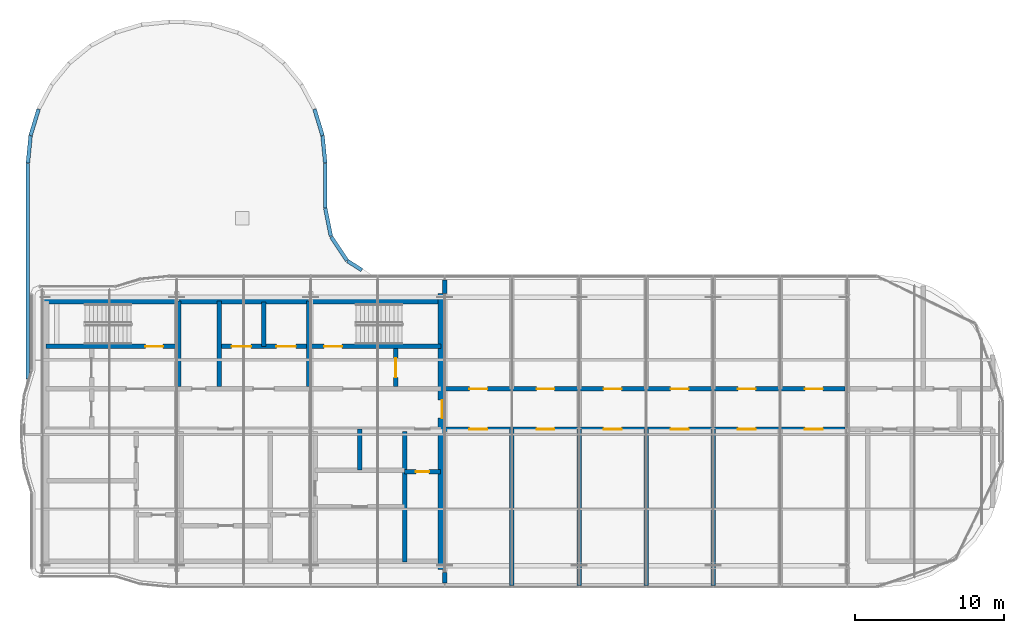
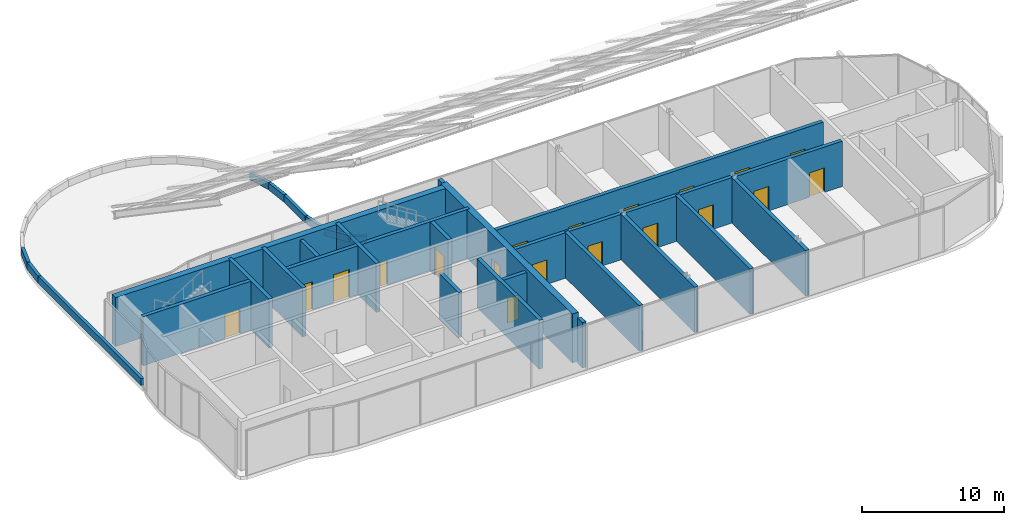
# One storey, part 21 of 25: 29 walls, 19 doors, 19 openings.
"""IFC4 building model written with IfcOpenShell, lengths in metres."""

import ifcopenshell
import ifcopenshell.guid

model = None  # the IFC model being written
_history = None  # IfcOwnerHistory: only IFC2X3 demands one
_inside = {}  # id of a spatial element -> (the spatial element, [elements in it])
_under = {}  # id of a project, library or spatial element -> (it, [spatial elements below it])
_declared = {}  # id of a project -> (the project, [libraries it declares])
_typed = {}  # id of a type object -> (the type object, [elements of that type])
_made_of = {}  # id of a material, layer set ... -> (it, [elements and type objects made of it])


def new_model(schema):
    """Start an empty IFC model of exactly this schema.

    Asked for "IFC4X3", IfcOpenShell would pick the latest addendum, in which some entities
    have other attributes; the version numbers below select the first issue.
    IFC2X3 requires an IfcOwnerHistory on every rooted entity: one is made here for all.
    """
    global model, _history
    if schema == "IFC4X3":
        model = ifcopenshell.file(schema_version=(4, 3, 0, 0))
    else:
        model = ifcopenshell.file(schema=schema)
    _inside.clear()
    _under.clear()
    _declared.clear()
    _typed.clear()
    _made_of.clear()
    _history = None
    if model.schema == "IFC2X3":
        org = make("IfcOrganization", Name="unknown")
        user = make(
            "IfcPersonAndOrganization",
            ThePerson=make("IfcPerson", FamilyName="unknown"),
            TheOrganization=org,
        )
        app = make(
            "IfcApplication",
            ApplicationDeveloper=org,
            Version="unknown",
            ApplicationFullName="unknown",
            ApplicationIdentifier="unknown",
        )
        _history = make(
            "IfcOwnerHistory",
            OwningUser=user,
            OwningApplication=app,
            ChangeAction="ADDED",
            CreationDate=0,
        )
    return model


def make(cls, **values):
    """One entity of the class cls with the attributes given. An attribute that is None is left unset."""
    return model.create_entity(
        cls, **{name: value for name, value in values.items() if value is not None}
    )


def rooted(cls, **values):
    """An entity with a GlobalId (a new one), such as an element, a storey or a relation."""
    return make(cls, GlobalId=ifcopenshell.guid.new(), OwnerHistory=_history, **values)


def si_unit(unit_type, name, prefix=None):
    """IfcSIUnit, for example si_unit("LENGTHUNIT", "METRE", prefix="MILLI")."""
    return make("IfcSIUnit", UnitType=unit_type, Prefix=prefix, Name=name)


def assignment(units):
    """IfcUnitAssignment: the units of a project."""
    return None if units is None else make("IfcUnitAssignment", Units=units)


def point(xyz):
    """IfcCartesianPoint."""
    return None if xyz is None else make("IfcCartesianPoint", Coordinates=xyz)


def direction(xyz):
    """IfcDirection."""
    return None if xyz is None else make("IfcDirection", DirectionRatios=xyz)


def frame(location, z_axis=None, x_axis=None):
    """IfcAxis2Placement3D, a coordinate frame: its origin and axes. An axis left out is left unset."""
    return make(
        "IfcAxis2Placement3D",
        Location=point(location),
        Axis=direction(z_axis),
        RefDirection=direction(x_axis),
    )


def frame_2d(location, x_axis=None):
    """IfcAxis2Placement2D, a coordinate frame in the plane: its origin and x axis."""
    return make(
        "IfcAxis2Placement2D", Location=point(location), RefDirection=direction(x_axis)
    )


def origin():
    """The frame at (0, 0, 0) with its axes left unset."""
    return frame((0.0, 0.0, 0.0))


def place(relative_to, where):
    """IfcLocalPlacement: puts the frame where relative to a parent placement (None: the world)."""
    return make(
        "IfcLocalPlacement", PlacementRelTo=relative_to, RelativePlacement=where
    )


def context(
    kind, dimensions, precision=None, world=None, true_north=None, identifier=None
):
    """IfcGeometricRepresentationContext, for example the 3D "Model" context."""
    return make(
        "IfcGeometricRepresentationContext",
        ContextIdentifier=identifier,
        ContextType=kind,
        CoordinateSpaceDimension=dimensions,
        Precision=precision,
        WorldCoordinateSystem=world,
        TrueNorth=true_north,
    )


def subcontext(parent, identifier, kind, view, scale=None):
    """IfcGeometricRepresentationSubContext, for example "Body" below "Model"."""
    return make(
        "IfcGeometricRepresentationSubContext",
        ContextIdentifier=identifier,
        ContextType=kind,
        ParentContext=parent,
        TargetScale=scale,
        TargetView=view,
    )


def project(units=None, contexts=None):
    """IfcProject with its units and contexts."""
    return rooted(
        "IfcProject",
        Name="project",
        RepresentationContexts=contexts,
        UnitsInContext=assignment(units),
    )


def spatial(cls, under=None, at=None, **own):
    """A site, building, storey or space (cls), placed at a placement, below another one or the project."""
    s = rooted(cls, ObjectPlacement=at, **own)
    if under is not None:
        _under.setdefault(under.id(), (under, []))[1].append(s)
    return s


def profile(cls, at=None, kind="AREA", **sizes):
    """A parametric profile (cls). Its sizes go by their IFC names, for example OverallWidth=200.0."""
    return make(cls, ProfileType=kind, Position=at, **sizes)


def rectangle(**sizes):
    """IfcRectangleProfileDef."""
    return profile("IfcRectangleProfileDef", **sizes)


def extrude(swept, where, along, depth):
    """IfcExtrudedAreaSolid: the profile swept, set in the frame where, extruded along a direction by depth."""
    return make(
        "IfcExtrudedAreaSolid",
        SweptArea=swept,
        Position=where,
        ExtrudedDirection=direction(along),
        Depth=depth,
    )


def shape(context_of_items, identifier, shape_type, items):
    """IfcShapeRepresentation: the items that make up one representation, for example the "Body"."""
    return make(
        "IfcShapeRepresentation",
        ContextOfItems=context_of_items,
        RepresentationIdentifier=identifier,
        RepresentationType=shape_type,
        Items=items,
    )


def material(Name=None, Category=None):
    """IfcMaterial."""
    return make("IfcMaterial", Name=Name, Category=Category)


def layer(
    of_material, thickness, ventilated=None, Name=None, Category=None, Priority=None
):
    """IfcMaterialLayer: one layer of a wall or slab, of a material (None: an air gap)."""
    return make(
        "IfcMaterialLayer",
        Material=of_material,
        LayerThickness=thickness,
        IsVentilated=ventilated,
        Name=Name,
        Category=Category,
        Priority=Priority,
    )


def layer_set(layers, Name=None):
    """IfcMaterialLayerSet."""
    return make("IfcMaterialLayerSet", MaterialLayers=layers, LayerSetName=Name)


def made_of(thing, what):
    """Note that an element or type object is made of a material, layer set ...; save() writes the relation."""
    if what is not None:
        _made_of.setdefault(what.id(), (what, []))[1].append(thing)
    return thing


def type_object(cls, material=None, **own):
    """A type object (cls), such as IfcWallType, which elements share."""
    return made_of(rooted(cls, **own), material)


def element(
    cls,
    number,
    at=None,
    inside=None,
    cuts=None,
    type_object=None,
    material=None,
    context=None,
    identifier="Body",
    shape_type=None,
    held_by="IfcProductDefinitionShape",
    body=None,
    shapes=None,
    **own,
):
    """One element of the class cls, such as IfcWall. Its Tag is "e" and its number.

    at: its placement. inside: the storey or other place that contains it. cuts: it is an
    opening in that element (IfcRelVoidsElement). A single representation is given by context,
    identifier, shape_type and body (its items); several are given by shapes. held_by: the class
    of the entity that holds the representations. save() writes the other relations.
    """
    e = rooted(cls, Tag="e%d" % number, ObjectPlacement=at, **own)
    if body is not None:
        shapes = [shape(context, identifier, shape_type, body)]
    if shapes is not None:
        e.Representation = make(held_by, Representations=shapes)
    if inside is not None:
        _inside.setdefault(inside.id(), (inside, []))[1].append(e)
    if cuts is not None:
        rooted(
            "IfcRelVoidsElement", RelatingBuildingElement=cuts, RelatedOpeningElement=e
        )
    if type_object is not None:
        _typed.setdefault(type_object.id(), (type_object, []))[1].append(e)
    return made_of(e, material)


def fill(opening, filler):
    """IfcRelFillsElement: the door or window that sits in an opening."""
    return rooted(
        "IfcRelFillsElement",
        RelatingOpeningElement=opening,
        RelatedBuildingElement=filler,
    )


def aggregate(whole, parts):
    """IfcRelAggregates: a whole, such as a stair, and the parts it consists of."""
    return rooted("IfcRelAggregates", RelatingObject=whole, RelatedObjects=parts)


def save(model, path):
    """Write the relations noted so far, then the file.

    IfcRelAggregates (storeys below a building ...), IfcRelContainedInSpatialStructure (elements
    in a storey), IfcRelDefinesByType, IfcRelAssociatesMaterial and IfcRelDeclares: one each for
    every whole, place, type object, material and project.
    """
    for whole, parts in _under.values():
        aggregate(whole, parts)
    for where, things in _inside.values():
        rooted(
            "IfcRelContainedInSpatialStructure",
            RelatedElements=things,
            RelatingStructure=where,
        )
    for kind, things in _typed.values():
        rooted("IfcRelDefinesByType", RelatedObjects=things, RelatingType=kind)
    for what, things in _made_of.values():
        rooted("IfcRelAssociatesMaterial", RelatedObjects=things, RelatingMaterial=what)
    for by, libraries in _declared.values():
        rooted("IfcRelDeclares", RelatingContext=by, RelatedDefinitions=libraries)
    model.write(path)


model = new_model("IFC4")

# Units and contexts
model_context = context("Model", 3, precision=1e-05, world=origin(), true_north=direction((0.0, 1.0)))
body_context = subcontext(model_context, "Body", "Model", "MODEL_VIEW")
ifc_project = project(units=[si_unit("LENGTHUNIT", "METRE"), si_unit("AREAUNIT", "SQUARE_METRE"), si_unit("VOLUMEUNIT", "CUBIC_METRE"), si_unit("PLANEANGLEUNIT", "RADIAN"), si_unit("MASSUNIT", "GRAM", prefix="KILO")], contexts=[model_context])

# Site, building, storey
site_placement = place(None, origin())
site = spatial("IfcSite", under=ifc_project, at=site_placement, CompositionType="ELEMENT")
building_placement = place(site_placement, origin())
building = spatial("IfcBuilding", under=site, at=building_placement, Name="Ogive Portal Towers", CompositionType="ELEMENT")
storey_placement = place(building_placement, frame((0.0, 0.0, 272.89990234375)))
storey = spatial("IfcBuildingStorey", under=building, at=storey_placement, Name="L66", CompositionType="ELEMENT", Elevation=272.89990234375)

# Wall
ifc_material_1 = material(Name="Concrete C60/75", Category="concrete")
ifc_layer_1 = layer(ifc_material_1, 0.300048828125)
ifc_layer_set_1 = layer_set([ifc_layer_1], Name="CORE WALL 300 C60")
wall_type_1 = type_object("IfcWallType", Name="CORE WALL 300 C60", PredefinedType="SHEAR", material=ifc_layer_set_1)
wall_1_placement = place(storey_placement, frame((55.800048828125, 21.75, 0.0), z_axis=(0.0, 0.0, 1.0), x_axis=(0.0, 1.0, 0.0)))
element("IfcWall", 1, at=wall_1_placement, inside=storey, type_object=wall_type_1, Name="Core wall X5 L66", PredefinedType="SHEAR", context=body_context, shape_type="SweptSolid", body=[
    extrude(rectangle(XDim=8.75, YDim=0.300048828125, at=frame_2d((4.375, 0.0))), origin(), (0.0, 0.0, 1.0), 4.2001953125),
])

# Wall, opening, door
wall_2_placement = place(storey_placement, frame((31.75, 36.199951171875, 0.0), z_axis=(0.0, 0.0, 1.0), x_axis=(1.0, 0.0, 0.0)))
wall_2 = element("IfcWall", 2, at=wall_2_placement, inside=storey, type_object=wall_type_1, Name="Core wall Y3a L66", PredefinedType="SHEAR", context=body_context, shape_type="SweptSolid", body=[
    extrude(rectangle(XDim=8.75, YDim=0.300048828125, at=frame_2d((4.375, 0.0))), origin(), (0.0, 0.0, 1.0), 4.2001953125),
])
opening_1_placement = place(wall_2_placement, frame((6.64990234375, 0.0, 0.0)))
opening_1 = element("IfcOpeningElement", 3, at=opening_1_placement, cuts=wall_2, Name="Opening D32-004", PredefinedType="OPENING", context=body_context, shape_type="SweptSolid", body=[
    extrude(rectangle(XDim=1.199951171875, YDim=2.10009765625, at=frame_2d((0.60009765625, 1.050048828125))), frame((0.0, 0.16015625, 0.0), z_axis=(0.0, -1.0, 0.0), x_axis=(1.0, 0.0, 0.0)), (0.0, 0.0, 1.0), 0.320068359375),
])
ifc_material_2 = material(Name="Steel fire door", Category="steel")
door_type_1 = type_object("IfcDoorType", Name="DT-SWING-1200x2100-FD90S", OperationType="SINGLE_SWING_LEFT", PredefinedType="DOOR", material=ifc_material_2)
door_1_placement = place(opening_1_placement, origin())
door_1 = element("IfcDoor", 4, at=door_1_placement, inside=storey, type_object=door_type_1, Name="Door D32-004", OperationType="SINGLE_SWING_RIGHT", OverallHeight=2.10009765625, OverallWidth=1.199951171875, PredefinedType="DOOR", context=body_context, shape_type="SweptSolid", body=[
    extrude(rectangle(XDim=1.199951171875, YDim=2.10009765625, at=frame_2d((0.60009765625, 1.050048828125))), frame((0.0, 0.02490234375, 0.0), z_axis=(0.0, -1.0, 0.0), x_axis=(1.0, 0.0, 0.0)), (0.0, 0.0, 1.0), 0.050048828125),
])
fill(opening_1, door_1)

# Wall, openings, doors
wall_3_placement = place(storey_placement, frame((43.5, 36.199951171875, 0.0), z_axis=(0.0, 0.0, 1.0), x_axis=(1.0, 0.0, 0.0)))
wall_3 = element("IfcWall", 5, at=wall_3_placement, inside=storey, type_object=wall_type_1, Name="Core wall Y3b L66", PredefinedType="SHEAR", context=body_context, shape_type="SweptSolid", body=[
    extrude(rectangle(XDim=14.75, YDim=0.300048828125, at=frame_2d((7.375, 0.0))), origin(), (0.0, 0.0, 1.0), 4.2001953125),
])
opening_2_placement = place(wall_3_placement, frame((6.89990234375, 0.0, 0.0)))
opening_2 = element("IfcOpeningElement", 6, at=opening_2_placement, cuts=wall_3, Name="Opening D32-005", PredefinedType="OPENING", context=body_context, shape_type="SweptSolid", body=[
    extrude(rectangle(XDim=1.199951171875, YDim=2.10009765625, at=frame_2d((0.60009765625, 1.050048828125))), frame((0.0, 0.16015625, 0.0), z_axis=(0.0, -1.0, 0.0), x_axis=(1.0, 0.0, 0.0)), (0.0, 0.0, 1.0), 0.320068359375),
])
opening_3_placement = place(wall_3_placement, frame((0.699951171875, 0.0, 0.0)))
opening_3 = element("IfcOpeningElement", 7, at=opening_3_placement, cuts=wall_3, Name="Opening D32-012", PredefinedType="OPENING", context=body_context, shape_type="SweptSolid", body=[
    extrude(rectangle(XDim=1.300048828125, YDim=2.39990234375, at=frame_2d((0.64990234375, 1.199951171875))), frame((0.0, 0.16015625, 0.0), z_axis=(0.0, -1.0, 0.0), x_axis=(1.0, 0.0, 0.0)), (0.0, 0.0, 1.0), 0.320068359375),
])
opening_4_placement = place(wall_3_placement, frame((3.699951171875, 0.0, 0.0)))
opening_4 = element("IfcOpeningElement", 8, at=opening_4_placement, cuts=wall_3, Name="Opening D32-013", PredefinedType="OPENING", context=body_context, shape_type="SweptSolid", body=[
    extrude(rectangle(XDim=1.300048828125, YDim=2.39990234375, at=frame_2d((0.64990234375, 1.199951171875))), frame((0.0, 0.16015625, 0.0), z_axis=(0.0, -1.0, 0.0), x_axis=(1.0, 0.0, 0.0)), (0.0, 0.0, 1.0), 0.320068359375),
])
ifc_material_3 = material(Name="Stainless steel", Category="steel")
door_type_2 = type_object("IfcDoorType", Name="DT-LD-1300x2400", OperationType="SLIDING_TO_LEFT", PredefinedType="DOOR", material=ifc_material_3)
door_2_placement = place(opening_3_placement, origin())
door_2 = element("IfcDoor", 9, at=door_2_placement, inside=storey, type_object=door_type_2, Name="Door D32-012", OperationType="SLIDING_TO_LEFT", OverallHeight=2.39990234375, OverallWidth=1.300048828125, PredefinedType="DOOR", context=body_context, shape_type="SweptSolid", body=[
    extrude(rectangle(XDim=1.300048828125, YDim=2.39990234375, at=frame_2d((0.64990234375, 1.199951171875))), frame((0.0, 0.02490234375, 0.0), z_axis=(0.0, -1.0, 0.0), x_axis=(1.0, 0.0, 0.0)), (0.0, 0.0, 1.0), 0.050048828125),
])
fill(opening_3, door_2)
door_3_placement = place(opening_4_placement, origin())
door_3 = element("IfcDoor", 10, at=door_3_placement, inside=storey, type_object=door_type_2, Name="Door D32-013", OperationType="SLIDING_TO_LEFT", OverallHeight=2.39990234375, OverallWidth=1.300048828125, PredefinedType="DOOR", context=body_context, shape_type="SweptSolid", body=[
    extrude(rectangle(XDim=1.300048828125, YDim=2.39990234375, at=frame_2d((0.64990234375, 1.199951171875))), frame((0.0, 0.02490234375, 0.0), z_axis=(0.0, -1.0, 0.0), x_axis=(1.0, 0.0, 0.0)), (0.0, 0.0, 1.0), 0.050048828125),
])
fill(opening_4, door_3)
door_4_placement = place(opening_2_placement, origin())
door_4 = element("IfcDoor", 11, at=door_4_placement, inside=storey, type_object=door_type_1, Name="Door D32-005", OperationType="SINGLE_SWING_LEFT", OverallHeight=2.10009765625, OverallWidth=1.199951171875, PredefinedType="DOOR", context=body_context, shape_type="SweptSolid", body=[
    extrude(rectangle(XDim=1.199951171875, YDim=2.10009765625, at=frame_2d((0.60009765625, 1.050048828125))), frame((0.0, 0.02490234375, 0.0), z_axis=(0.0, -1.0, 0.0), x_axis=(1.0, 0.0, 0.0)), (0.0, 0.0, 1.0), 0.050048828125),
])
fill(opening_2, door_4)

# Walls
for number, where, z_axis, x_axis, name in (
    (12, (40.64990234375, 33.5, 0.0), (0.0, 0.0, 1.0), (0.0, 1.0, 0.0), "Core wall X6 L66"),
    (13, (43.35009765625, 33.5, 0.0), (0.0, 0.0, 1.0), (0.0, 1.0, 0.0), "Core wall X7 L66"),
    (14, (49.35009765625, 33.5, 0.0), (0.0, 0.0, 1.0), (0.0, 1.0, 0.0), "Core wall X9 L66"),
):
    element("IfcWall", number, at=place(storey_placement, frame(where, z_axis=z_axis, x_axis=x_axis)), inside=storey, type_object=wall_type_1, Name=name, PredefinedType="SHEAR", context=body_context, shape_type="SweptSolid", body=[
        extrude(rectangle(XDim=5.75, YDim=0.300048828125, at=frame_2d((2.875, 0.0))), origin(), (0.0, 0.0, 1.0), 4.2001953125),
    ])

# Wall, opening, door
wall_4_placement = place(storey_placement, frame((55.199951171875, 33.5, 0.0), z_axis=(0.0, 0.0, 1.0), x_axis=(0.0, 1.0, 0.0)))
wall_4 = element("IfcWall", 15, at=wall_4_placement, inside=storey, type_object=wall_type_1, Name="Core wall X10 L66", PredefinedType="SHEAR", context=body_context, shape_type="SweptSolid", body=[
    extrude(rectangle(XDim=2.550048828125, YDim=0.300048828125, at=frame_2d((1.27490234375, 0.0))), origin(), (0.0, 0.0, 1.0), 4.2001953125),
])
opening_5_placement = place(wall_4_placement, frame((0.625, 0.0, 0.0)))
opening_5 = element("IfcOpeningElement", 16, at=opening_5_placement, cuts=wall_4, Name="Opening D32-015", PredefinedType="OPENING", context=body_context, shape_type="SweptSolid", body=[
    extrude(rectangle(XDim=1.300048828125, YDim=2.39990234375, at=frame_2d((0.64990234375, 1.199951171875))), frame((0.0, 0.16015625, 0.0), z_axis=(0.0, -1.0, 0.0), x_axis=(1.0, 0.0, 0.0)), (0.0, 0.0, 1.0), 0.320068359375),
])
door_5_placement = place(opening_5_placement, origin())
door_5 = element("IfcDoor", 17, at=door_5_placement, inside=storey, type_object=door_type_2, Name="Door D32-015", OperationType="SLIDING_TO_LEFT", OverallHeight=2.39990234375, OverallWidth=1.300048828125, PredefinedType="DOOR", context=body_context, shape_type="SweptSolid", body=[
    extrude(rectangle(XDim=1.300048828125, YDim=2.39990234375, at=frame_2d((0.64990234375, 1.199951171875))), frame((0.0, 0.02490234375, 0.0), z_axis=(0.0, -1.0, 0.0), x_axis=(1.0, 0.0, 0.0)), (0.0, 0.0, 1.0), 0.050048828125),
])
fill(opening_5, door_5)

ifc_layer_2 = layer(ifc_material_1, 0.5)
ifc_layer_set_2 = layer_set([ifc_layer_2], Name="CORE WALL 500 C60")
wall_type_2 = type_object("IfcWallType", Name="CORE WALL 500 C60", PredefinedType="SHEAR", material=ifc_layer_set_2)
wall_5_placement = place(storey_placement, frame((58.300048828125, 21.25, 0.0), z_axis=(0.0, 0.0, 1.0), x_axis=(0.0, 1.0, 0.0)))
wall_5 = element("IfcWall", 18, at=wall_5_placement, inside=storey, type_object=wall_type_2, Name="Core wall E L66", PredefinedType="SHEAR", context=body_context, shape_type="SweptSolid", body=[
    extrude(rectangle(XDim=18.5, YDim=0.5, at=frame_2d((9.25, 0.0))), origin(), (0.0, 0.0, 1.0), 4.2001953125),
])
opening_6_placement = place(wall_5_placement, frame((10.14990234375, 0.0, 0.0)))
opening_6 = element("IfcOpeningElement", 19, at=opening_6_placement, cuts=wall_5, Name="Opening D32-011", PredefinedType="OPENING", context=body_context, shape_type="SweptSolid", body=[
    extrude(rectangle(XDim=1.199951171875, YDim=2.10009765625, at=frame_2d((0.60009765625, 1.050048828125))), frame((0.0, 0.260009765625, 0.0), z_axis=(0.0, -1.0, 0.0), x_axis=(1.0, 0.0, 0.0)), (0.0, 0.0, 1.0), 0.52001953125),
])
door_6_placement = place(opening_6_placement, origin())
door_6 = element("IfcDoor", 20, at=door_6_placement, inside=storey, type_object=door_type_1, Name="Door D32-011", OperationType="SINGLE_SWING_LEFT", OverallHeight=2.10009765625, OverallWidth=1.199951171875, PredefinedType="DOOR", context=body_context, shape_type="SweptSolid", body=[
    extrude(rectangle(XDim=1.199951171875, YDim=2.10009765625, at=frame_2d((0.60009765625, 1.050048828125))), frame((0.0, 0.02490234375, 0.0), z_axis=(0.0, -1.0, 0.0), x_axis=(1.0, 0.0, 0.0)), (0.0, 0.0, 1.0), 0.050048828125),
])
fill(opening_6, door_6)

# Walls
wall_6_placement = place(storey_placement, frame((31.25, 39.300048828125, 0.0), z_axis=(0.0, 0.0, 1.0), x_axis=(1.0, 0.0, 0.0)))
element("IfcWall", 21, at=wall_6_placement, inside=storey, type_object=wall_type_2, Name="Core wall N L66", PredefinedType="SHEAR", context=body_context, shape_type="SweptSolid", body=[
    extrude(rectangle(XDim=27.0, YDim=0.5, at=frame_2d((13.5, 0.0))), origin(), (0.0, 0.0, 1.0), 4.2001953125),
])
ifc_material_4 = material(Name="Limestone cladding on lightweight block wall", Category="masonry")
ifc_layer_3 = layer(ifc_material_4, 0.25)
ifc_layer_set_3 = layer_set([ifc_layer_3], Name="PARAPET 250 STONE")
wall_type_3 = type_object("IfcWallType", Name="PARAPET 250 STONE", PredefinedType="PARAPET", material=ifc_layer_set_3)
wall_7_placement = place(storey_placement, frame((52.926513671875, 41.324951171875, 0.0), z_axis=(0.0, 0.0, 1.0), x_axis=(-0.845376374251, 0.53417112039, 0.0)))
element("IfcWall", 22, at=wall_7_placement, inside=storey, type_object=wall_type_3, Name="A:L66:sroof0:para28", PredefinedType="PARAPET", context=body_context, shape_type="SweptSolid", body=[
    extrude(rectangle(XDim=1.13427734375, YDim=0.25, at=frame_2d((0.567138671875, 0.0))), origin(), (0.0, 0.0, 1.0), 0.60009765625),
])
wall_8_placement = place(storey_placement, frame((51.93115234375, 41.9658203125, 0.0), z_axis=(0.0, 0.0, 1.0), x_axis=(-0.555525106616, 0.83149976303, 0.0)))
element("IfcWall", 23, at=wall_8_placement, inside=storey, type_object=wall_type_3, Name="A:L66:sroof0:para29", PredefinedType="PARAPET", context=body_context, shape_type="SweptSolid", body=[
    extrude(rectangle(XDim=1.91162109375, YDim=0.25, at=frame_2d((0.955810546875, 0.0))), origin(), (0.0, 0.0, 1.0), 0.60009765625),
])
wall_9_placement = place(storey_placement, frame((50.850341796875, 43.6005859375, 0.0), z_axis=(0.0, 0.0, 1.0), x_axis=(-0.195133688315, 0.980776653313, 0.0)))
element("IfcWall", 24, at=wall_9_placement, inside=storey, type_object=wall_type_3, Name="A:L66:sroof0:para30", PredefinedType="PARAPET", context=body_context, shape_type="SweptSolid", body=[
    extrude(rectangle(XDim=1.911865234375, YDim=0.25, at=frame_2d((0.9560546875, 0.0))), origin(), (0.0, 0.0, 1.0), 0.60009765625),
])
wall_10_placement = place(storey_placement, frame((50.47509765625, 45.5, 0.0), z_axis=(0.0, 0.0, 1.0), x_axis=(0.0, 1.0, 0.0)))
element("IfcWall", 25, at=wall_10_placement, inside=storey, type_object=wall_type_3, Name="A:L66:sroof0:para31", PredefinedType="PARAPET", context=body_context, shape_type="SweptSolid", body=[
    extrude(rectangle(XDim=2.98779296875, YDim=0.25, at=frame_2d((1.493896484375, 0.0))), origin(), (0.0, 0.0, 1.0), 0.60009765625),
])
wall_11_placement = place(storey_placement, frame((50.474365234375, 48.5, 0.0), z_axis=(0.0, 0.0, 1.0), x_axis=(-0.098049398722, 0.99518154897, 0.0)))
element("IfcWall", 26, at=wall_11_placement, inside=storey, type_object=wall_type_3, Name="A:L66:sroof0:para32", PredefinedType="PARAPET", context=body_context, shape_type="SweptSolid", body=[
    extrude(rectangle(XDim=1.844970703125, YDim=0.25, at=frame_2d((0.92236328125, 0.0))), origin(), (0.0, 0.0, 1.0), 0.60009765625),
])
for number, where, z_axis, x_axis, name in (
    (27, (50.288818359375, 50.360107421875, 0.0), (0.0, 0.0, 1.0), (-0.290255087561, 0.956949311168, 0.0), "A:L66:sroof0:para33"),
    (28, (31.2431640625, 52.114013671875, 0.0), (0.0, 0.0, 1.0), (-0.290255087561, -0.956949311168, 0.0), "A:L66:sroof0:para47"),
):
    element("IfcWall", number, at=place(storey_placement, frame(where, z_axis=z_axis, x_axis=x_axis)), inside=storey, type_object=wall_type_3, Name=name, PredefinedType="PARAPET", context=body_context, shape_type="SweptSolid", body=[
        extrude(rectangle(XDim=1.832763671875, YDim=0.25, at=frame_2d((0.91650390625, 0.0))), origin(), (0.0, 0.0, 1.0), 0.60009765625),
    ])
wall_12_placement = place(storey_placement, frame((30.70654296875, 50.336181640625, 0.0), z_axis=(0.0, 0.0, 1.0), x_axis=(-0.098049398722, -0.99518154897, 0.0)))
element("IfcWall", 29, at=wall_12_placement, inside=storey, type_object=wall_type_3, Name="A:L66:sroof0:para48", PredefinedType="PARAPET", context=body_context, shape_type="SweptSolid", body=[
    extrude(rectangle(XDim=1.844970703125, YDim=0.25, at=frame_2d((0.92236328125, 0.0))), origin(), (0.0, 0.0, 1.0), 0.60009765625),
])
wall_13_placement = place(storey_placement, frame((30.52490234375, 48.48779296875, 0.0), z_axis=(0.0, 0.0, 1.0), x_axis=(0.0, -1.0, 0.0)))
element("IfcWall", 30, at=wall_13_placement, inside=storey, type_object=wall_type_3, Name="A:L66:sroof0:para49", PredefinedType="PARAPET", context=body_context, shape_type="SweptSolid", body=[
    extrude(rectangle(XDim=14.478759765625, YDim=0.25, at=frame_2d((7.2392578125, 0.0))), origin(), (0.0, 0.0, 1.0), 0.60009765625),
])

# Wall, opening, door
ifc_material_5 = material(Name="Gypsum board partition on steel studs", Category="steel")
ifc_layer_4 = layer(ifc_material_5, 0.300048828125)
ifc_layer_set_4 = layer_set([ifc_layer_4], Name="WT-PART-300")
wall_type_4 = type_object("IfcWallType", Name="WT-PART-300", PredefinedType="PARTITIONING", material=ifc_layer_set_4)
wall_14_placement = place(storey_placement, frame((55.800048828125, 27.800048828125, 0.0), z_axis=(0.0, 0.0, 1.0), x_axis=(1.0, 0.0, 0.0)))
wall_14 = element("IfcWall", 31, at=wall_14_placement, inside=storey, type_object=wall_type_4, Name="Wall pw:006:L66", PredefinedType="PARTITIONING", context=body_context, shape_type="SweptSolid", body=[
    extrude(rectangle(XDim=2.39990234375, YDim=0.300048828125, at=frame_2d((1.199951171875, 0.0))), origin(), (0.0, 0.0, 1.0), 3.900146484375),
])
opening_7_placement = place(wall_14_placement, frame((0.75, 0.0, 0.0)))
opening_7 = element("IfcOpeningElement", 32, at=opening_7_placement, cuts=wall_14, Name="Opening D32-010", PredefinedType="OPENING", context=body_context, shape_type="SweptSolid", body=[
    extrude(rectangle(XDim=0.89990234375, YDim=2.10009765625, at=frame_2d((0.449951171875, 1.050048828125))), frame((0.0, 0.16015625, 0.0), z_axis=(0.0, -1.0, 0.0), x_axis=(1.0, 0.0, 0.0)), (0.0, 0.0, 1.0), 0.320068359375),
])
door_type_3 = type_object("IfcDoorType", Name="DT-SWING-900x2100-FD60S", OperationType="SINGLE_SWING_LEFT", PredefinedType="DOOR", material=ifc_material_2)
door_7_placement = place(opening_7_placement, origin())
door_7 = element("IfcDoor", 33, at=door_7_placement, inside=storey, type_object=door_type_3, Name="Door D32-010", OperationType="SINGLE_SWING_RIGHT", OverallHeight=2.10009765625, OverallWidth=0.89990234375, PredefinedType="DOOR", context=body_context, shape_type="SweptSolid", body=[
    extrude(rectangle(XDim=0.89990234375, YDim=2.10009765625, at=frame_2d((0.449951171875, 1.050048828125))), frame((0.0, 0.02490234375, 0.0), z_axis=(0.0, -1.0, 0.0), x_axis=(1.0, 0.0, 0.0)), (0.0, 0.0, 1.0), 0.050048828125),
])
fill(opening_7, door_7)

# Wall, openings, doors
ifc_layer_5 = layer(ifc_material_5, 0.300048828125)
ifc_layer_set_5 = layer_set([ifc_layer_5], Name="WT-PART-300-EI 120")
wall_type_5 = type_object("IfcWallType", Name="WT-PART-300-EI 120", PredefinedType="PARTITIONING", material=ifc_layer_set_5)
wall_15_placement = place(storey_placement, frame((58.550048828125, 30.64990234375, 0.0), z_axis=(0.0, 0.0, 1.0), x_axis=(1.0, 0.0, 0.0)))
wall_15 = element("IfcWall", 34, at=wall_15_placement, inside=storey, type_object=wall_type_5, Name="Wall L66:w002", PredefinedType="PARTITIONING", context=body_context, shape_type="SweptSolid", body=[
    extrude(rectangle(XDim=26.780029296875, YDim=0.300048828125, at=frame_2d((13.39013671875, 0.0))), origin(), (0.0, 0.0, 1.0), 3.900146484375),
])
opening_8_placement = place(wall_15_placement, frame((1.60009765625, 0.0, 0.0)))
opening_8 = element("IfcOpeningElement", 35, at=opening_8_placement, cuts=wall_15, Name="Opening D32-025", PredefinedType="OPENING", context=body_context, shape_type="SweptSolid", body=[
    extrude(rectangle(XDim=1.199951171875, YDim=2.10009765625, at=frame_2d((0.60009765625, 1.050048828125))), frame((0.0, 0.16015625, 0.0), z_axis=(0.0, -1.0, 0.0), x_axis=(1.0, 0.0, 0.0)), (0.0, 0.0, 1.0), 0.320068359375),
])
opening_9_placement = place(wall_15_placement, frame((6.10009765625, 0.0, 0.0)))
opening_9 = element("IfcOpeningElement", 36, at=opening_9_placement, cuts=wall_15, Name="Opening D32-026", PredefinedType="OPENING", context=body_context, shape_type="SweptSolid", body=[
    extrude(rectangle(XDim=1.199951171875, YDim=2.10009765625, at=frame_2d((0.60009765625, 1.050048828125))), frame((0.0, 0.16015625, 0.0), z_axis=(0.0, -1.0, 0.0), x_axis=(1.0, 0.0, 0.0)), (0.0, 0.0, 1.0), 0.320068359375),
])
opening_10_placement = place(wall_15_placement, frame((10.60009765625, 0.0, 0.0)))
opening_10 = element("IfcOpeningElement", 37, at=opening_10_placement, cuts=wall_15, Name="Opening D32-029", PredefinedType="OPENING", context=body_context, shape_type="SweptSolid", body=[
    extrude(rectangle(XDim=1.199951171875, YDim=2.10009765625, at=frame_2d((0.60009765625, 1.050048828125))), frame((0.0, 0.16015625, 0.0), z_axis=(0.0, -1.0, 0.0), x_axis=(1.0, 0.0, 0.0)), (0.0, 0.0, 1.0), 0.320068359375),
])
opening_11_placement = place(wall_15_placement, frame((15.10009765625, 0.0, 0.0)))
opening_11 = element("IfcOpeningElement", 38, at=opening_11_placement, cuts=wall_15, Name="Opening D32-030", PredefinedType="OPENING", context=body_context, shape_type="SweptSolid", body=[
    extrude(rectangle(XDim=1.199951171875, YDim=2.10009765625, at=frame_2d((0.60009765625, 1.050048828125))), frame((0.0, 0.16015625, 0.0), z_axis=(0.0, -1.0, 0.0), x_axis=(1.0, 0.0, 0.0)), (0.0, 0.0, 1.0), 0.320068359375),
])
opening_12_placement = place(wall_15_placement, frame((19.60009765625, 0.0, 0.0)))
opening_12 = element("IfcOpeningElement", 39, at=opening_12_placement, cuts=wall_15, Name="Opening D32-033", PredefinedType="OPENING", context=body_context, shape_type="SweptSolid", body=[
    extrude(rectangle(XDim=1.199951171875, YDim=2.10009765625, at=frame_2d((0.60009765625, 1.050048828125))), frame((0.0, 0.16015625, 0.0), z_axis=(0.0, -1.0, 0.0), x_axis=(1.0, 0.0, 0.0)), (0.0, 0.0, 1.0), 0.320068359375),
])
opening_13_placement = place(wall_15_placement, frame((24.10009765625, 0.0, 0.0)))
opening_13 = element("IfcOpeningElement", 40, at=opening_13_placement, cuts=wall_15, Name="Opening D32-034", PredefinedType="OPENING", context=body_context, shape_type="SweptSolid", body=[
    extrude(rectangle(XDim=1.199951171875, YDim=2.10009765625, at=frame_2d((0.60009765625, 1.050048828125))), frame((0.0, 0.16015625, 0.0), z_axis=(0.0, -1.0, 0.0), x_axis=(1.0, 0.0, 0.0)), (0.0, 0.0, 1.0), 0.320068359375),
])
door_type_4 = type_object("IfcDoorType", Name="DT-ENTRY-1200x2100-FD90S", OperationType="SINGLE_SWING_LEFT", PredefinedType="DOOR", material=ifc_material_2)
door_8_placement = place(opening_8_placement, origin())
door_8 = element("IfcDoor", 41, at=door_8_placement, inside=storey, type_object=door_type_4, Name="Door D32-025", OperationType="SINGLE_SWING_RIGHT", OverallHeight=2.10009765625, OverallWidth=1.199951171875, PredefinedType="DOOR", context=body_context, shape_type="SweptSolid", body=[
    extrude(rectangle(XDim=1.199951171875, YDim=2.10009765625, at=frame_2d((0.60009765625, 1.050048828125))), frame((0.0, 0.02490234375, 0.0), z_axis=(0.0, -1.0, 0.0), x_axis=(1.0, 0.0, 0.0)), (0.0, 0.0, 1.0), 0.050048828125),
])
fill(opening_8, door_8)
door_9_placement = place(opening_9_placement, origin())
door_9 = element("IfcDoor", 42, at=door_9_placement, inside=storey, type_object=door_type_4, Name="Door D32-026", OperationType="SINGLE_SWING_LEFT", OverallHeight=2.10009765625, OverallWidth=1.199951171875, PredefinedType="DOOR", context=body_context, shape_type="SweptSolid", body=[
    extrude(rectangle(XDim=1.199951171875, YDim=2.10009765625, at=frame_2d((0.60009765625, 1.050048828125))), frame((0.0, 0.02490234375, 0.0), z_axis=(0.0, -1.0, 0.0), x_axis=(1.0, 0.0, 0.0)), (0.0, 0.0, 1.0), 0.050048828125),
])
fill(opening_9, door_9)
door_10_placement = place(opening_10_placement, origin())
door_10 = element("IfcDoor", 43, at=door_10_placement, inside=storey, type_object=door_type_4, Name="Door D32-029", OperationType="SINGLE_SWING_LEFT", OverallHeight=2.10009765625, OverallWidth=1.199951171875, PredefinedType="DOOR", context=body_context, shape_type="SweptSolid", body=[
    extrude(rectangle(XDim=1.199951171875, YDim=2.10009765625, at=frame_2d((0.60009765625, 1.050048828125))), frame((0.0, 0.02490234375, 0.0), z_axis=(0.0, -1.0, 0.0), x_axis=(1.0, 0.0, 0.0)), (0.0, 0.0, 1.0), 0.050048828125),
])
fill(opening_10, door_10)
door_11_placement = place(opening_11_placement, origin())
door_11 = element("IfcDoor", 44, at=door_11_placement, inside=storey, type_object=door_type_4, Name="Door D32-030", OperationType="SINGLE_SWING_LEFT", OverallHeight=2.10009765625, OverallWidth=1.199951171875, PredefinedType="DOOR", context=body_context, shape_type="SweptSolid", body=[
    extrude(rectangle(XDim=1.199951171875, YDim=2.10009765625, at=frame_2d((0.60009765625, 1.050048828125))), frame((0.0, 0.02490234375, 0.0), z_axis=(0.0, -1.0, 0.0), x_axis=(1.0, 0.0, 0.0)), (0.0, 0.0, 1.0), 0.050048828125),
])
fill(opening_11, door_11)
door_12_placement = place(opening_12_placement, origin())
door_12 = element("IfcDoor", 45, at=door_12_placement, inside=storey, type_object=door_type_4, Name="Door D32-033", OperationType="SINGLE_SWING_LEFT", OverallHeight=2.10009765625, OverallWidth=1.199951171875, PredefinedType="DOOR", context=body_context, shape_type="SweptSolid", body=[
    extrude(rectangle(XDim=1.199951171875, YDim=2.10009765625, at=frame_2d((0.60009765625, 1.050048828125))), frame((0.0, 0.02490234375, 0.0), z_axis=(0.0, -1.0, 0.0), x_axis=(1.0, 0.0, 0.0)), (0.0, 0.0, 1.0), 0.050048828125),
])
fill(opening_12, door_12)
door_13_placement = place(opening_13_placement, origin())
door_13 = element("IfcDoor", 46, at=door_13_placement, inside=storey, type_object=door_type_4, Name="Door D32-034", OperationType="SINGLE_SWING_RIGHT", OverallHeight=2.10009765625, OverallWidth=1.199951171875, PredefinedType="DOOR", context=body_context, shape_type="SweptSolid", body=[
    extrude(rectangle(XDim=1.199951171875, YDim=2.10009765625, at=frame_2d((0.60009765625, 1.050048828125))), frame((0.0, 0.02490234375, 0.0), z_axis=(0.0, -1.0, 0.0), x_axis=(1.0, 0.0, 0.0)), (0.0, 0.0, 1.0), 0.050048828125),
])
fill(opening_13, door_13)

wall_16_placement = place(storey_placement, frame((58.550048828125, 33.35009765625, 0.0), z_axis=(0.0, 0.0, 1.0), x_axis=(1.0, 0.0, 0.0)))
wall_16 = element("IfcWall", 47, at=wall_16_placement, inside=storey, type_object=wall_type_5, Name="Wall L66:w004", PredefinedType="PARTITIONING", context=body_context, shape_type="SweptSolid", body=[
    extrude(rectangle(XDim=26.780029296875, YDim=0.300048828125, at=frame_2d((13.39013671875, 0.0))), origin(), (0.0, 0.0, 1.0), 3.900146484375),
])
opening_14_placement = place(wall_16_placement, frame((1.60009765625, 0.0, 0.0)))
opening_14 = element("IfcOpeningElement", 48, at=opening_14_placement, cuts=wall_16, Name="Opening D32-023", PredefinedType="OPENING", context=body_context, shape_type="SweptSolid", body=[
    extrude(rectangle(XDim=1.199951171875, YDim=2.10009765625, at=frame_2d((0.60009765625, 1.050048828125))), frame((0.0, 0.16015625, 0.0), z_axis=(0.0, -1.0, 0.0), x_axis=(1.0, 0.0, 0.0)), (0.0, 0.0, 1.0), 0.320068359375),
])
opening_15_placement = place(wall_16_placement, frame((6.10009765625, 0.0, 0.0)))
opening_15 = element("IfcOpeningElement", 49, at=opening_15_placement, cuts=wall_16, Name="Opening D32-024", PredefinedType="OPENING", context=body_context, shape_type="SweptSolid", body=[
    extrude(rectangle(XDim=1.199951171875, YDim=2.10009765625, at=frame_2d((0.60009765625, 1.050048828125))), frame((0.0, 0.16015625, 0.0), z_axis=(0.0, -1.0, 0.0), x_axis=(1.0, 0.0, 0.0)), (0.0, 0.0, 1.0), 0.320068359375),
])
opening_16_placement = place(wall_16_placement, frame((10.60009765625, 0.0, 0.0)))
opening_16 = element("IfcOpeningElement", 50, at=opening_16_placement, cuts=wall_16, Name="Opening D32-027", PredefinedType="OPENING", context=body_context, shape_type="SweptSolid", body=[
    extrude(rectangle(XDim=1.199951171875, YDim=2.10009765625, at=frame_2d((0.60009765625, 1.050048828125))), frame((0.0, 0.16015625, 0.0), z_axis=(0.0, -1.0, 0.0), x_axis=(1.0, 0.0, 0.0)), (0.0, 0.0, 1.0), 0.320068359375),
])
opening_17_placement = place(wall_16_placement, frame((15.10009765625, 0.0, 0.0)))
opening_17 = element("IfcOpeningElement", 51, at=opening_17_placement, cuts=wall_16, Name="Opening D32-028", PredefinedType="OPENING", context=body_context, shape_type="SweptSolid", body=[
    extrude(rectangle(XDim=1.199951171875, YDim=2.10009765625, at=frame_2d((0.60009765625, 1.050048828125))), frame((0.0, 0.16015625, 0.0), z_axis=(0.0, -1.0, 0.0), x_axis=(1.0, 0.0, 0.0)), (0.0, 0.0, 1.0), 0.320068359375),
])
opening_18_placement = place(wall_16_placement, frame((19.60009765625, 0.0, 0.0)))
opening_18 = element("IfcOpeningElement", 52, at=opening_18_placement, cuts=wall_16, Name="Opening D32-031", PredefinedType="OPENING", context=body_context, shape_type="SweptSolid", body=[
    extrude(rectangle(XDim=1.199951171875, YDim=2.10009765625, at=frame_2d((0.60009765625, 1.050048828125))), frame((0.0, 0.16015625, 0.0), z_axis=(0.0, -1.0, 0.0), x_axis=(1.0, 0.0, 0.0)), (0.0, 0.0, 1.0), 0.320068359375),
])
opening_19_placement = place(wall_16_placement, frame((24.10009765625, 0.0, 0.0)))
opening_19 = element("IfcOpeningElement", 53, at=opening_19_placement, cuts=wall_16, Name="Opening D32-032", PredefinedType="OPENING", context=body_context, shape_type="SweptSolid", body=[
    extrude(rectangle(XDim=1.199951171875, YDim=2.10009765625, at=frame_2d((0.60009765625, 1.050048828125))), frame((0.0, 0.16015625, 0.0), z_axis=(0.0, -1.0, 0.0), x_axis=(1.0, 0.0, 0.0)), (0.0, 0.0, 1.0), 0.320068359375),
])
door_14_placement = place(opening_14_placement, origin())
door_14 = element("IfcDoor", 54, at=door_14_placement, inside=storey, type_object=door_type_4, Name="Door D32-023", OperationType="SINGLE_SWING_LEFT", OverallHeight=2.10009765625, OverallWidth=1.199951171875, PredefinedType="DOOR", context=body_context, shape_type="SweptSolid", body=[
    extrude(rectangle(XDim=1.199951171875, YDim=2.10009765625, at=frame_2d((0.60009765625, 1.050048828125))), frame((0.0, 0.02490234375, 0.0), z_axis=(0.0, -1.0, 0.0), x_axis=(1.0, 0.0, 0.0)), (0.0, 0.0, 1.0), 0.050048828125),
])
fill(opening_14, door_14)
door_15_placement = place(opening_15_placement, origin())
door_15 = element("IfcDoor", 55, at=door_15_placement, inside=storey, type_object=door_type_4, Name="Door D32-024", OperationType="SINGLE_SWING_LEFT", OverallHeight=2.10009765625, OverallWidth=1.199951171875, PredefinedType="DOOR", context=body_context, shape_type="SweptSolid", body=[
    extrude(rectangle(XDim=1.199951171875, YDim=2.10009765625, at=frame_2d((0.60009765625, 1.050048828125))), frame((0.0, 0.02490234375, 0.0), z_axis=(0.0, -1.0, 0.0), x_axis=(1.0, 0.0, 0.0)), (0.0, 0.0, 1.0), 0.050048828125),
])
fill(opening_15, door_15)
door_16_placement = place(opening_16_placement, origin())
door_16 = element("IfcDoor", 56, at=door_16_placement, inside=storey, type_object=door_type_4, Name="Door D32-027", OperationType="SINGLE_SWING_LEFT", OverallHeight=2.10009765625, OverallWidth=1.199951171875, PredefinedType="DOOR", context=body_context, shape_type="SweptSolid", body=[
    extrude(rectangle(XDim=1.199951171875, YDim=2.10009765625, at=frame_2d((0.60009765625, 1.050048828125))), frame((0.0, 0.02490234375, 0.0), z_axis=(0.0, -1.0, 0.0), x_axis=(1.0, 0.0, 0.0)), (0.0, 0.0, 1.0), 0.050048828125),
])
fill(opening_16, door_16)
door_17_placement = place(opening_17_placement, origin())
door_17 = element("IfcDoor", 57, at=door_17_placement, inside=storey, type_object=door_type_4, Name="Door D32-028", OperationType="SINGLE_SWING_RIGHT", OverallHeight=2.10009765625, OverallWidth=1.199951171875, PredefinedType="DOOR", context=body_context, shape_type="SweptSolid", body=[
    extrude(rectangle(XDim=1.199951171875, YDim=2.10009765625, at=frame_2d((0.60009765625, 1.050048828125))), frame((0.0, 0.02490234375, 0.0), z_axis=(0.0, -1.0, 0.0), x_axis=(1.0, 0.0, 0.0)), (0.0, 0.0, 1.0), 0.050048828125),
])
fill(opening_17, door_17)
door_18_placement = place(opening_18_placement, origin())
door_18 = element("IfcDoor", 58, at=door_18_placement, inside=storey, type_object=door_type_4, Name="Door D32-031", OperationType="SINGLE_SWING_RIGHT", OverallHeight=2.10009765625, OverallWidth=1.199951171875, PredefinedType="DOOR", context=body_context, shape_type="SweptSolid", body=[
    extrude(rectangle(XDim=1.199951171875, YDim=2.10009765625, at=frame_2d((0.60009765625, 1.050048828125))), frame((0.0, 0.02490234375, 0.0), z_axis=(0.0, -1.0, 0.0), x_axis=(1.0, 0.0, 0.0)), (0.0, 0.0, 1.0), 0.050048828125),
])
fill(opening_18, door_18)
door_19_placement = place(opening_19_placement, origin())
door_19 = element("IfcDoor", 59, at=door_19_placement, inside=storey, type_object=door_type_4, Name="Door D32-032", OperationType="SINGLE_SWING_LEFT", OverallHeight=2.10009765625, OverallWidth=1.199951171875, PredefinedType="DOOR", context=body_context, shape_type="SweptSolid", body=[
    extrude(rectangle(XDim=1.199951171875, YDim=2.10009765625, at=frame_2d((0.60009765625, 1.050048828125))), frame((0.0, 0.02490234375, 0.0), z_axis=(0.0, -1.0, 0.0), x_axis=(1.0, 0.0, 0.0)), (0.0, 0.0, 1.0), 0.050048828125),
])
fill(opening_19, door_19)

# Walls
ifc_layer_6 = layer(ifc_material_5, 0.300048828125)
ifc_layer_set_6 = layer_set([ifc_layer_6], Name="WT-PART-300-EI 60")
wall_type_6 = type_object("IfcWallType", Name="WT-PART-300-EI 60", PredefinedType="PARTITIONING", material=ifc_layer_set_6)
wall_17_placement = place(storey_placement, frame((58.5, 20.35009765625, 0.0), z_axis=(0.0, 0.0, 1.0), x_axis=(0.0, 1.0, 0.0)))
element("IfcWall", 60, at=wall_17_placement, inside=storey, type_object=wall_type_6, Name="Wall L66:w006", PredefinedType="PARTITIONING", context=body_context, shape_type="SweptSolid", body=[
    extrude(rectangle(XDim=0.679931640625, YDim=0.300048828125, at=frame_2d((0.33984375, 0.0))), origin(), (0.0, 0.0, 1.0), 3.900146484375),
])
wall_18_placement = place(storey_placement, frame((58.5, 39.75, 0.0), z_axis=(0.0, 0.0, 1.0), x_axis=(0.0, 1.0, 0.0)))
element("IfcWall", 61, at=wall_18_placement, inside=storey, type_object=wall_type_6, Name="Wall L66:w007", PredefinedType="PARTITIONING", context=body_context, shape_type="SweptSolid", body=[
    extrude(rectangle(XDim=0.89990234375, YDim=0.300048828125, at=frame_2d((0.449951171875, 0.0))), origin(), (0.0, 0.0, 1.0), 3.900146484375),
])
for number, where, z_axis, x_axis, name in (
    (62, (63.0, 20.169921875, 0.0), (0.0, 0.0, 1.0), (0.0, 1.0, 0.0), "Wall L66:w008"),
    (63, (67.5, 20.169921875, 0.0), (0.0, 0.0, 1.0), (0.0, 1.0, 0.0), "Wall L66:w010"),
    (64, (72.0, 20.169921875, 0.0), (0.0, 0.0, 1.0), (0.0, 1.0, 0.0), "Wall L66:w012"),
    (65, (76.5, 20.169921875, 0.0), (0.0, 0.0, 1.0), (0.0, 1.0, 0.0), "Wall L66:w014"),
):
    element("IfcWall", number, at=place(storey_placement, frame(where, z_axis=z_axis, x_axis=x_axis)), inside=storey, type_object=wall_type_6, Name=name, PredefinedType="PARTITIONING", context=body_context, shape_type="SweptSolid", body=[
        extrude(rectangle(XDim=10.47998046875, YDim=0.300048828125, at=frame_2d((5.239990234375, 0.0))), origin(), (0.0, 0.0, 1.0), 3.900146484375),
    ])
ifc_material_6 = material(Name="Concrete C40/50", Category="concrete")
ifc_layer_7 = layer(ifc_material_6, 0.300048828125)
ifc_layer_set_7 = layer_set([ifc_layer_7], Name="WT-SHAFT-300")
wall_type_7 = type_object("IfcWallType", Name="WT-SHAFT-300", PredefinedType="SOLIDWALL", material=ifc_layer_set_7)
wall_19_placement = place(storey_placement, frame((46.35009765625, 36.199951171875, 0.0), z_axis=(0.0, 0.0, 1.0), x_axis=(0.0, 1.0, 0.0)))
element("IfcWall", 66, at=wall_19_placement, inside=storey, type_object=wall_type_7, Name="Wall pw:009:L66", PredefinedType="SOLIDWALL", context=body_context, shape_type="SweptSolid", body=[
    extrude(rectangle(XDim=3.0, YDim=0.300048828125, at=frame_2d((1.5, 0.0))), origin(), (0.0, 0.0, 1.0), 3.900146484375),
])
wall_20_placement = place(storey_placement, frame((52.800048828125, 27.89990234375, 0.0), z_axis=(0.0, 0.0, 1.0), x_axis=(0.0, 1.0, 0.0)))
element("IfcWall", 67, at=wall_20_placement, inside=storey, type_object=wall_type_7, Name="Wall pw:010:L66", PredefinedType="SOLIDWALL", context=body_context, shape_type="SweptSolid", body=[
    extrude(rectangle(XDim=2.75, YDim=0.300048828125, at=frame_2d((1.375, 0.0))), origin(), (0.0, 0.0, 1.0), 3.900146484375),
])

save(model, "model.ifc")
